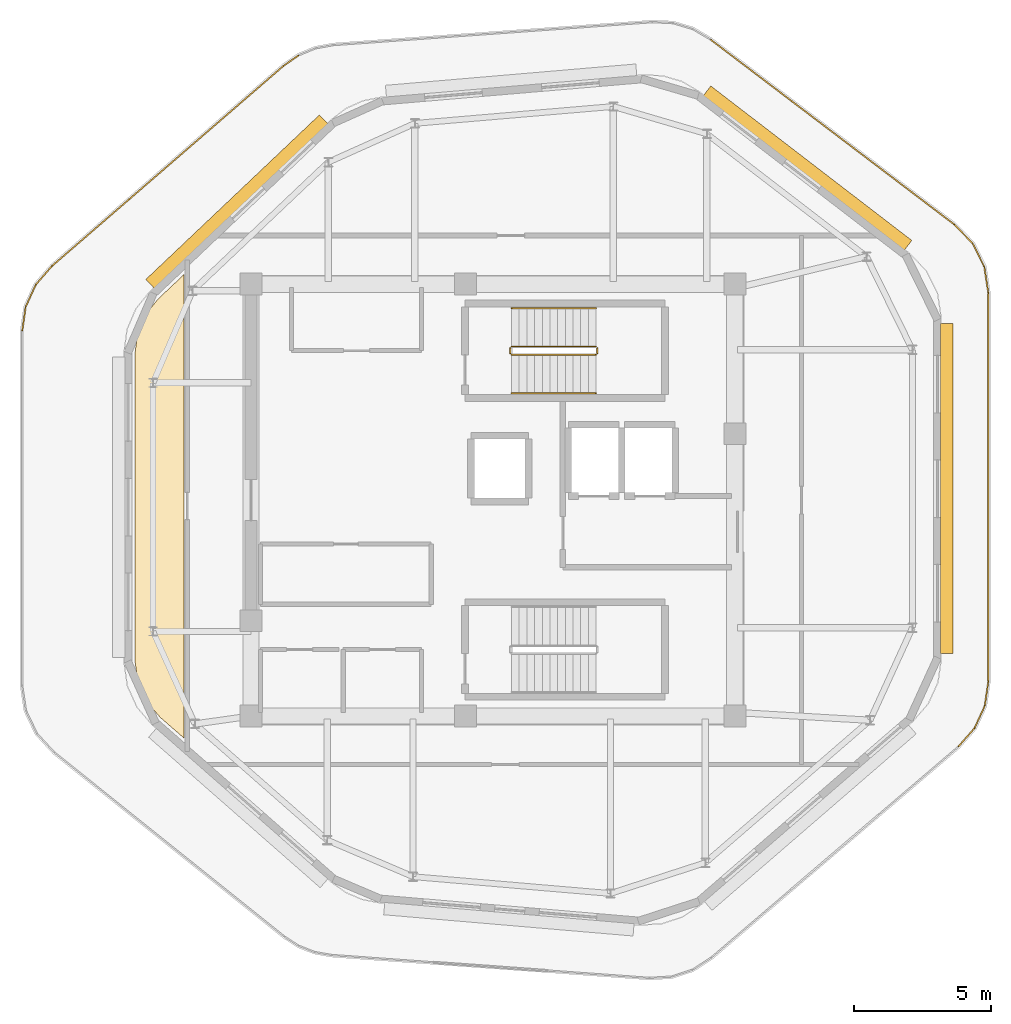
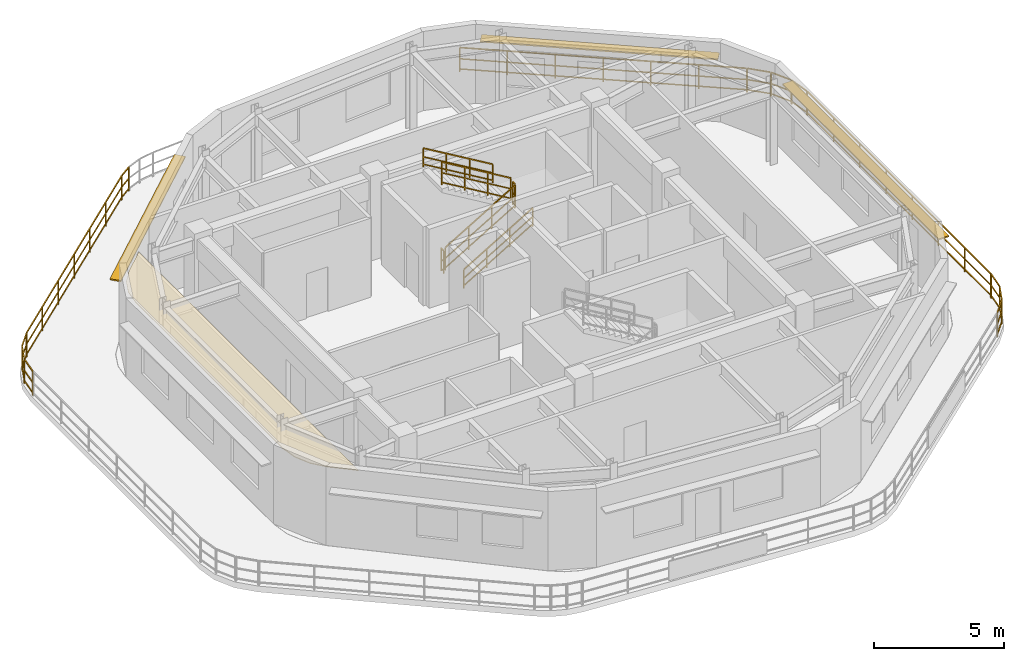
# One storey, part 6 of 7: 19 railings, 3 shading devices, 1 covering.
"""IFC4 building model written with IfcOpenShell, lengths in metres."""

from ifc_helpers import new_model, si_unit, direction, frame, origin, origin_2d, place, context, subcontext, project, spatial, polyline, rectangle, outline, extrude, material, layer, layer_set, type_object, element, save


model = new_model("IFC4")

# Units and contexts
model_context = context("Model", 3, precision=1e-05, world=origin(), true_north=direction((0.0, 1.0)))
body_context = subcontext(model_context, "Body", "Model", "MODEL_VIEW")
ifc_project = project(units=[si_unit("LENGTHUNIT", "METRE"), si_unit("AREAUNIT", "SQUARE_METRE"), si_unit("VOLUMEUNIT", "CUBIC_METRE"), si_unit("PLANEANGLEUNIT", "RADIAN"), si_unit("MASSUNIT", "GRAM", prefix="KILO")], contexts=[model_context])

# Site, building, storey
site_placement = place(None, origin())
site = spatial("IfcSite", under=ifc_project, at=site_placement, CompositionType="ELEMENT")
building_placement = place(site_placement, origin())
building = spatial("IfcBuilding", under=site, at=building_placement, Name="Zulverin Broadcast Headquarters", CompositionType="ELEMENT")
storey_placement = place(building_placement, frame((0.0, 0.0, 329.39990234375)))
storey = spatial("IfcBuildingStorey", under=building, at=storey_placement, Name="C5", CompositionType="ELEMENT", Elevation=329.39990234375)

# Covering
ifc_material_1 = material(Name="Perforated pale-metal acoustic baffle ceiling", Category="aluminium")
ifc_layer_1 = layer(ifc_material_1, 0.0400390625, Name="Perforated pale-metal acoustic baffle ceiling", Category="aluminium")
ifc_layer_set_1 = layer_set([ifc_layer_1], Name="Perforated pale-metal acoustic baffle ceiling")
covering_type = type_object("IfcCoveringType", Name="COV-CEIL-ACOU", PredefinedType="CEILING", material=ifc_layer_set_1)
covering_placement = place(storey_placement, frame((0.0, 0.0, 3.39013671875)))
element("IfcCovering", 1, at=covering_placement, inside=storey, type_object=covering_type, Name="C5 Acoustic Baffle Ceiling 01", PredefinedType="CEILING", context=body_context, shape_type="SweptSolid", body=[
    extrude(outline(polyline([(26.49609375, 31.320068359375), (26.39990234375, 30.60009765625), (26.39990234375, 19.2880859375), (26.508056640625, 18.531982421875), (26.81201171875, 17.864013671875), (27.303955078125, 17.283935546875), (28.179931640625, 16.52001953125), (28.179931640625, 33.427978515625), (27.23193359375, 32.531982421875), (26.77587890625, 31.964111328125), (26.49609375, 31.320068359375)])), origin(), (0.0, 0.0, 1.0), 0.0400390625),
])

# Railings
ifc_material_2 = material(Name="Brushed stainless steel & laminated glass balustrade", Category="steel")
railing_type_1 = type_object("IfcRailingType", Name="RL-GUARD-1150", PredefinedType="GUARDRAIL", material=ifc_material_2)
railing_1_placement = place(storey_placement, frame((22.281982421875, 31.381591796875, 0.0)))
element("IfcRailing", 2, at=railing_1_placement, inside=storey, type_object=railing_type_1, Name="C5 Stepped Crown Terrace Perimeter Balustrade Segment 06", PredefinedType="GUARDRAIL", context=body_context, shape_type="SweptSolid", body=[
    extrude(rectangle(XDim=0.048095703125, YDim=0.048095703125, at=origin_2d()), frame((0.0, 0.0, 1.1259765625), z_axis=(0.142844004207, 0.989745214923, 0.0), x_axis=(-0.989745214923, 0.142844004207, 0.0)), (0.0, 0.0, 1.0), 0.86474609375),
    extrude(rectangle(XDim=0.0419921875, YDim=0.0419921875, at=origin_2d()), frame((0.0, 0.0, 0.597900390625), z_axis=(0.142844004207, 0.989745214923, 0.0), x_axis=(-0.989745214923, 0.142844004207, 0.0)), (0.0, 0.0, 1.0), 0.86474609375),
    extrude(rectangle(XDim=0.0419921875, YDim=0.0419921875, at=origin_2d()), frame((0.0, 0.0, 0.1201171875), z_axis=(0.142844004207, 0.989745214923, 0.0), x_axis=(-0.989745214923, 0.142844004207, 0.0)), (0.0, 0.0, 1.0), 0.86474609375),
    extrude(rectangle(XDim=0.0419921875, YDim=0.0419921875, at=origin_2d()), origin(), (0.0, 0.0, 1.0), 1.101806640625),
    extrude(rectangle(XDim=0.0419921875, YDim=0.0419921875, at=origin_2d()), frame((0.12353515625, 0.85595703125, 0.0)), (0.0, 0.0, 1.0), 1.101806640625),
])
railing_2_placement = place(storey_placement, frame((22.413818359375, 32.26611328125, 0.0)))
element("IfcRailing", 3, at=railing_2_placement, inside=storey, type_object=railing_type_1, Name="C5 Stepped Crown Terrace Perimeter Balustrade Segment 07", PredefinedType="GUARDRAIL", context=body_context, shape_type="SweptSolid", body=[
    extrude(rectangle(XDim=0.048095703125, YDim=0.048095703125, at=origin_2d()), frame((0.0, 0.0, 1.1259765625), z_axis=(0.415900839261, 0.909409969102, 0.0), x_axis=(-0.909409969102, 0.415900839261, 0.0)), (0.0, 0.0, 1.0), 0.85888671875),
    extrude(rectangle(XDim=0.0419921875, YDim=0.0419921875, at=origin_2d()), frame((0.0, 0.0, 0.597900390625), z_axis=(0.415900839261, 0.909409969102, 0.0), x_axis=(-0.909409969102, 0.415900839261, 0.0)), (0.0, 0.0, 1.0), 0.85888671875),
    extrude(rectangle(XDim=0.0419921875, YDim=0.0419921875, at=origin_2d()), frame((0.0, 0.0, 0.1201171875), z_axis=(0.415900839261, 0.909409969102, 0.0), x_axis=(-0.909409969102, 0.415900839261, 0.0)), (0.0, 0.0, 1.0), 0.85888671875),
    extrude(rectangle(XDim=0.0419921875, YDim=0.0419921875, at=origin_2d()), origin(), (0.0, 0.0, 1.0), 1.101806640625),
    extrude(rectangle(XDim=0.0419921875, YDim=0.0419921875, at=origin_2d()), frame((0.357177734375, 0.781005859375, 0.0)), (0.0, 0.0, 1.0), 1.101806640625),
])
railing_3_placement = place(storey_placement, frame((22.787109375, 33.072021484375, 0.0)))
element("IfcRailing", 4, at=railing_3_placement, inside=storey, type_object=railing_type_1, Name="C5 Stepped Crown Terrace Perimeter Balustrade Segment 08", PredefinedType="GUARDRAIL", context=body_context, shape_type="SweptSolid", body=[
    extrude(rectangle(XDim=0.048095703125, YDim=0.048095703125, at=origin_2d()), frame((0.0, 0.0, 1.1259765625), z_axis=(0.655521467266, 0.755176539594, 0.0), x_axis=(-0.755176539594, 0.655521467266, 0.0)), (0.0, 0.0, 1.0), 0.86474609375),
    extrude(rectangle(XDim=0.0419921875, YDim=0.0419921875, at=origin_2d()), frame((0.0, 0.0, 0.597900390625), z_axis=(0.655521467266, 0.755176539594, 0.0), x_axis=(-0.755176539594, 0.655521467266, 0.0)), (0.0, 0.0, 1.0), 0.86474609375),
    extrude(rectangle(XDim=0.0419921875, YDim=0.0419921875, at=origin_2d()), frame((0.0, 0.0, 0.1201171875), z_axis=(0.655521467266, 0.755176539594, 0.0), x_axis=(-0.755176539594, 0.655521467266, 0.0)), (0.0, 0.0, 1.0), 0.86474609375),
    extrude(rectangle(XDim=0.0419921875, YDim=0.0419921875, at=origin_2d()), origin(), (0.0, 0.0, 1.0), 1.101806640625),
    extrude(rectangle(XDim=0.0419921875, YDim=0.0419921875, at=origin_2d()), frame((0.56689453125, 0.653076171875, 0.0)), (0.0, 0.0, 1.0), 1.101806640625),
])
railing_4_placement = place(storey_placement, frame((23.375, 33.74609375, 0.0)))
element("IfcRailing", 5, at=railing_4_placement, inside=storey, type_object=railing_type_1, Name="C5 Stepped Crown Terrace Perimeter Balustrade Segment 09", PredefinedType="GUARDRAIL", context=body_context, shape_type="SweptSolid", body=[
    extrude(rectangle(XDim=0.048095703125, YDim=0.048095703125, at=origin_2d()), frame((0.0, 0.0, 1.1259765625), z_axis=(0.756475989369, 0.654021465633, 0.0), x_axis=(-0.654021465633, 0.756475989369, 0.0)), (0.0, 0.0, 1.0), 11.14013671875),
    extrude(rectangle(XDim=0.0419921875, YDim=0.0419921875, at=origin_2d()), frame((0.0, 0.0, 0.597900390625), z_axis=(0.756475989369, 0.654021465633, 0.0), x_axis=(-0.654021465633, 0.756475989369, 0.0)), (0.0, 0.0, 1.0), 11.14013671875),
    extrude(rectangle(XDim=0.0419921875, YDim=0.0419921875, at=origin_2d()), frame((0.0, 0.0, 0.1201171875), z_axis=(0.756475989369, 0.654021465633, 0.0), x_axis=(-0.654021465633, 0.756475989369, 0.0)), (0.0, 0.0, 1.0), 11.14013671875),
    extrude(rectangle(XDim=0.0419921875, YDim=0.0419921875, at=origin_2d()), origin(), (0.0, 0.0, 1.0), 1.101806640625),
    extrude(rectangle(XDim=0.0419921875, YDim=0.0419921875, at=origin_2d()), frame((1.404541015625, 1.21435546875, 0.0)), (0.0, 0.0, 1.0), 1.101806640625),
    extrude(rectangle(XDim=0.0419921875, YDim=0.0419921875, at=origin_2d()), frame((2.80908203125, 2.4287109375, 0.0)), (0.0, 0.0, 1.0), 1.101806640625),
    extrude(rectangle(XDim=0.0419921875, YDim=0.0419921875, at=origin_2d()), frame((4.213623046875, 3.64306640625, 0.0)), (0.0, 0.0, 1.0), 1.101806640625),
    extrude(rectangle(XDim=0.0419921875, YDim=0.0419921875, at=origin_2d()), frame((5.6181640625, 4.857177734375, 0.0)), (0.0, 0.0, 1.0), 1.101806640625),
    extrude(rectangle(XDim=0.0419921875, YDim=0.0419921875, at=origin_2d()), frame((7.022705078125, 6.071533203125, 0.0)), (0.0, 0.0, 1.0), 1.101806640625),
    extrude(rectangle(XDim=0.0419921875, YDim=0.0419921875, at=origin_2d()), frame((8.42724609375, 7.285888671875, 0.0)), (0.0, 0.0, 1.0), 1.101806640625),
])
railing_5_placement = place(storey_placement, frame((31.82568359375, 41.05029296875, 0.0)))
element("IfcRailing", 6, at=railing_5_placement, inside=storey, type_object=railing_type_1, Name="C5 Stepped Crown Terrace Perimeter Balustrade Segment 10", PredefinedType="GUARDRAIL", context=body_context, shape_type="SweptSolid", body=[
    extrude(rectangle(XDim=0.048095703125, YDim=0.048095703125, at=origin_2d()), frame((0.0, 0.0, 1.1259765625), z_axis=(0.821876134899, 0.569666234635, 0.0), x_axis=(-0.569666234635, 0.821876134899, 0.0)), (0.0, 0.0, 1.0), 0.639892578125),
    extrude(rectangle(XDim=0.0419921875, YDim=0.0419921875, at=origin_2d()), frame((0.0, 0.0, 0.597900390625), z_axis=(0.821876134899, 0.569666234635, 0.0), x_axis=(-0.569666234635, 0.821876134899, 0.0)), (0.0, 0.0, 1.0), 0.639892578125),
    extrude(rectangle(XDim=0.0419921875, YDim=0.0419921875, at=origin_2d()), frame((0.0, 0.0, 0.1201171875), z_axis=(0.821876134899, 0.569666234635, 0.0), x_axis=(-0.569666234635, 0.821876134899, 0.0)), (0.0, 0.0, 1.0), 0.639892578125),
    extrude(rectangle(XDim=0.0419921875, YDim=0.0419921875, at=origin_2d()), origin(), (0.0, 0.0, 1.0), 1.101806640625),
    extrude(rectangle(XDim=0.0419921875, YDim=0.0419921875, at=origin_2d()), frame((0.52587890625, 0.364501953125, 0.0)), (0.0, 0.0, 1.0), 1.101806640625),
])
railing_6_placement = place(storey_placement, frame((47.392333984375, 41.995361328125, 0.0)))
element("IfcRailing", 7, at=railing_6_placement, inside=storey, type_object=railing_type_1, Name="C5 Stepped Crown Terrace Perimeter Balustrade Segment 17", PredefinedType="GUARDRAIL", context=body_context, shape_type="SweptSolid", body=[
    extrude(rectangle(XDim=0.048095703125, YDim=0.048095703125, at=origin_2d()), frame((0.0, 0.0, 1.1259765625), z_axis=(0.796690543245, -0.604387440557, 0.0), x_axis=(0.604387440557, 0.796690543245, 0.0)), (0.0, 0.0, 1.0), 11.1416015625),
    extrude(rectangle(XDim=0.0419921875, YDim=0.0419921875, at=origin_2d()), frame((0.0, 0.0, 0.597900390625), z_axis=(0.796690543245, -0.604387440557, 0.0), x_axis=(0.604387440557, 0.796690543245, 0.0)), (0.0, 0.0, 1.0), 11.1416015625),
    extrude(rectangle(XDim=0.0419921875, YDim=0.0419921875, at=origin_2d()), frame((0.0, 0.0, 0.1201171875), z_axis=(0.796690543245, -0.604387440557, 0.0), x_axis=(0.604387440557, 0.796690543245, 0.0)), (0.0, 0.0, 1.0), 11.1416015625),
    extrude(rectangle(XDim=0.0419921875, YDim=0.0419921875, at=origin_2d()), origin(), (0.0, 0.0, 1.0), 1.101806640625),
    extrude(rectangle(XDim=0.0419921875, YDim=0.0419921875, at=origin_2d()), frame((1.4794921875, -1.122314453125, 0.0)), (0.0, 0.0, 1.0), 1.101806640625),
    extrude(rectangle(XDim=0.0419921875, YDim=0.0419921875, at=origin_2d()), frame((2.958740234375, -2.24462890625, 0.0)), (0.0, 0.0, 1.0), 1.101806640625),
    extrude(rectangle(XDim=0.0419921875, YDim=0.0419921875, at=origin_2d()), frame((4.438232421875, -3.366943359375, 0.0)), (0.0, 0.0, 1.0), 1.101806640625),
    extrude(rectangle(XDim=0.0419921875, YDim=0.0419921875, at=origin_2d()), frame((5.917724609375, -4.4892578125, 0.0)), (0.0, 0.0, 1.0), 1.101806640625),
    extrude(rectangle(XDim=0.0419921875, YDim=0.0419921875, at=origin_2d()), frame((7.39697265625, -5.611572265625, 0.0)), (0.0, 0.0, 1.0), 1.101806640625),
    extrude(rectangle(XDim=0.0419921875, YDim=0.0419921875, at=origin_2d()), frame((8.87646484375, -6.73388671875, 0.0)), (0.0, 0.0, 1.0), 1.101806640625),
])
railing_7_placement = place(storey_placement, frame((56.291015625, 35.24169921875, 0.0)))
element("IfcRailing", 8, at=railing_7_placement, inside=storey, type_object=railing_type_1, Name="C5 Stepped Crown Terrace Perimeter Balustrade Segment 18", PredefinedType="GUARDRAIL", context=body_context, shape_type="SweptSolid", body=[
    extrude(rectangle(XDim=0.048095703125, YDim=0.048095703125, at=origin_2d()), frame((0.0, 0.0, 1.1259765625), z_axis=(0.69480972236, -0.71919361073, 0.0), x_axis=(0.71919361073, 0.69480972236, 0.0)), (0.0, 0.0, 1.0), 0.93115234375),
    extrude(rectangle(XDim=0.0419921875, YDim=0.0419921875, at=origin_2d()), frame((0.0, 0.0, 0.597900390625), z_axis=(0.69480972236, -0.71919361073, 0.0), x_axis=(0.71919361073, 0.69480972236, 0.0)), (0.0, 0.0, 1.0), 0.93115234375),
    extrude(rectangle(XDim=0.0419921875, YDim=0.0419921875, at=origin_2d()), frame((0.0, 0.0, 0.1201171875), z_axis=(0.69480972236, -0.71919361073, 0.0), x_axis=(0.71919361073, 0.69480972236, 0.0)), (0.0, 0.0, 1.0), 0.93115234375),
    extrude(rectangle(XDim=0.0419921875, YDim=0.0419921875, at=origin_2d()), origin(), (0.0, 0.0, 1.0), 1.101806640625),
    extrude(rectangle(XDim=0.0419921875, YDim=0.0419921875, at=origin_2d()), frame((0.64697265625, -0.669677734375, 0.0)), (0.0, 0.0, 1.0), 1.101806640625),
])
railing_8_placement = place(storey_placement, frame((56.955078125, 34.5478515625, 0.0)))
element("IfcRailing", 9, at=railing_8_placement, inside=storey, type_object=railing_type_1, Name="C5 Stepped Crown Terrace Perimeter Balustrade Segment 19", PredefinedType="GUARDRAIL", context=body_context, shape_type="SweptSolid", body=[
    extrude(rectangle(XDim=0.048095703125, YDim=0.048095703125, at=origin_2d()), frame((0.0, 0.0, 1.1259765625), z_axis=(0.444676824576, -0.895691086081, 0.0), x_axis=(0.895691086081, 0.444676824576, 0.0)), (0.0, 0.0, 1.0), 0.924560546875),
    extrude(rectangle(XDim=0.0419921875, YDim=0.0419921875, at=origin_2d()), frame((0.0, 0.0, 0.597900390625), z_axis=(0.444676824576, -0.895691086081, 0.0), x_axis=(0.895691086081, 0.444676824576, 0.0)), (0.0, 0.0, 1.0), 0.924560546875),
    extrude(rectangle(XDim=0.0419921875, YDim=0.0419921875, at=origin_2d()), frame((0.0, 0.0, 0.1201171875), z_axis=(0.444676824576, -0.895691086081, 0.0), x_axis=(0.895691086081, 0.444676824576, 0.0)), (0.0, 0.0, 1.0), 0.924560546875),
    extrude(rectangle(XDim=0.0419921875, YDim=0.0419921875, at=origin_2d()), origin(), (0.0, 0.0, 1.0), 1.101806640625),
    extrude(rectangle(XDim=0.0419921875, YDim=0.0419921875, at=origin_2d()), frame((0.4111328125, -0.828125, 0.0)), (0.0, 0.0, 1.0), 1.101806640625),
])
railing_9_placement = place(storey_placement, frame((57.375244140625, 33.69140625, 0.0)))
element("IfcRailing", 10, at=railing_9_placement, inside=storey, type_object=railing_type_1, Name="C5 Stepped Crown Terrace Perimeter Balustrade Segment 20", PredefinedType="GUARDRAIL", context=body_context, shape_type="SweptSolid", body=[
    extrude(rectangle(XDim=0.048095703125, YDim=0.048095703125, at=origin_2d()), frame((0.0, 0.0, 1.1259765625), z_axis=(0.152904585336, -0.988240956338, 0.0), x_axis=(0.988240956338, 0.152904585336, 0.0)), (0.0, 0.0, 1.0), 0.930908203125),
    extrude(rectangle(XDim=0.0419921875, YDim=0.0419921875, at=origin_2d()), frame((0.0, 0.0, 0.597900390625), z_axis=(0.152904585336, -0.988240956338, 0.0), x_axis=(0.988240956338, 0.152904585336, 0.0)), (0.0, 0.0, 1.0), 0.930908203125),
    extrude(rectangle(XDim=0.0419921875, YDim=0.0419921875, at=origin_2d()), frame((0.0, 0.0, 0.1201171875), z_axis=(0.152904585336, -0.988240956338, 0.0), x_axis=(0.988240956338, 0.152904585336, 0.0)), (0.0, 0.0, 1.0), 0.930908203125),
    extrude(rectangle(XDim=0.0419921875, YDim=0.0419921875, at=origin_2d()), origin(), (0.0, 0.0, 1.0), 1.101806640625),
    extrude(rectangle(XDim=0.0419921875, YDim=0.0419921875, at=origin_2d()), frame((0.142333984375, -0.919921875, 0.0)), (0.0, 0.0, 1.0), 1.101806640625),
])
railing_10_placement = place(storey_placement, frame((57.52001953125, 32.74169921875, 0.0)))
element("IfcRailing", 11, at=railing_10_placement, inside=storey, type_object=railing_type_1, Name="C5 Stepped Crown Terrace Perimeter Balustrade Segment 21", PredefinedType="GUARDRAIL", context=body_context, shape_type="SweptSolid", body=[
    extrude(rectangle(XDim=0.048095703125, YDim=0.048095703125, at=origin_2d()), frame((0.0, 0.0, 1.1259765625), z_axis=(0.0, -1.0, 0.0), x_axis=(1.0, 0.0, 0.0)), (0.0, 0.0, 1.0), 14.14111328125),
    extrude(rectangle(XDim=0.0419921875, YDim=0.0419921875, at=origin_2d()), frame((0.0, 0.0, 0.597900390625), z_axis=(0.0, -1.0, 0.0), x_axis=(1.0, 0.0, 0.0)), (0.0, 0.0, 1.0), 14.14111328125),
    extrude(rectangle(XDim=0.0419921875, YDim=0.0419921875, at=origin_2d()), frame((0.0, 0.0, 0.1201171875), z_axis=(0.0, -1.0, 0.0), x_axis=(1.0, 0.0, 0.0)), (0.0, 0.0, 1.0), 14.14111328125),
    extrude(rectangle(XDim=0.0419921875, YDim=0.0419921875, at=origin_2d()), origin(), (0.0, 0.0, 1.0), 1.101806640625),
    extrude(rectangle(XDim=0.0419921875, YDim=0.0419921875, at=origin_2d()), frame((0.0, -2.020263671875, 0.0)), (0.0, 0.0, 1.0), 1.101806640625),
    extrude(rectangle(XDim=0.0419921875, YDim=0.0419921875, at=origin_2d()), frame((0.0, -4.040283203125, 0.0)), (0.0, 0.0, 1.0), 1.101806640625),
    extrude(rectangle(XDim=0.0419921875, YDim=0.0419921875, at=origin_2d()), frame((0.0, -6.060546875, 0.0)), (0.0, 0.0, 1.0), 1.101806640625),
    extrude(rectangle(XDim=0.0419921875, YDim=0.0419921875, at=origin_2d()), frame((0.0, -8.08056640625, 0.0)), (0.0, 0.0, 1.0), 1.101806640625),
    extrude(rectangle(XDim=0.0419921875, YDim=0.0419921875, at=origin_2d()), frame((0.0, -10.100830078125, 0.0)), (0.0, 0.0, 1.0), 1.101806640625),
    extrude(rectangle(XDim=0.0419921875, YDim=0.0419921875, at=origin_2d()), frame((0.0, -12.120849609375, 0.0)), (0.0, 0.0, 1.0), 1.101806640625),
    extrude(rectangle(XDim=0.0419921875, YDim=0.0419921875, at=origin_2d()), frame((0.0, -14.14111328125, 0.0)), (0.0, 0.0, 1.0), 1.101806640625),
])
railing_11_placement = place(storey_placement, frame((57.517822265625, 18.57080078125, 0.0)))
element("IfcRailing", 12, at=railing_11_placement, inside=storey, type_object=railing_type_1, Name="C5 Stepped Crown Terrace Perimeter Balustrade Segment 22", PredefinedType="GUARDRAIL", context=body_context, shape_type="SweptSolid", body=[
    extrude(rectangle(XDim=0.048095703125, YDim=0.048095703125, at=origin_2d()), frame((0.0, 0.0, 1.1259765625), z_axis=(-0.143460890548, -0.989655987141, 0.0), x_axis=(0.989655987141, -0.143460890548, 0.0)), (0.0, 0.0, 1.0), 0.871337890625),
    extrude(rectangle(XDim=0.0419921875, YDim=0.0419921875, at=origin_2d()), frame((0.0, 0.0, 0.597900390625), z_axis=(-0.143460890548, -0.989655987141, 0.0), x_axis=(0.989655987141, -0.143460890548, 0.0)), (0.0, 0.0, 1.0), 0.871337890625),
    extrude(rectangle(XDim=0.0419921875, YDim=0.0419921875, at=origin_2d()), frame((0.0, 0.0, 0.1201171875), z_axis=(-0.143460890548, -0.989655987141, 0.0), x_axis=(0.989655987141, -0.143460890548, 0.0)), (0.0, 0.0, 1.0), 0.871337890625),
    extrude(rectangle(XDim=0.0419921875, YDim=0.0419921875, at=origin_2d()), origin(), (0.0, 0.0, 1.0), 1.101806640625),
    extrude(rectangle(XDim=0.0419921875, YDim=0.0419921875, at=origin_2d()), frame((-0.125, -0.8623046875, 0.0)), (0.0, 0.0, 1.0), 1.101806640625),
])
railing_12_placement = place(storey_placement, frame((57.38427734375, 17.68017578125, 0.0)))
element("IfcRailing", 13, at=railing_12_placement, inside=storey, type_object=railing_type_1, Name="C5 Stepped Crown Terrace Perimeter Balustrade Segment 23", PredefinedType="GUARDRAIL", context=body_context, shape_type="SweptSolid", body=[
    extrude(rectangle(XDim=0.048095703125, YDim=0.048095703125, at=origin_2d()), frame((0.0, 0.0, 1.1259765625), z_axis=(-0.418789902521, -0.908083155634, 0.0), x_axis=(0.908083155634, -0.418789902521, 0.0)), (0.0, 0.0, 1.0), 0.86572265625),
    extrude(rectangle(XDim=0.0419921875, YDim=0.0419921875, at=origin_2d()), frame((0.0, 0.0, 0.597900390625), z_axis=(-0.418789902521, -0.908083155634, 0.0), x_axis=(0.908083155634, -0.418789902521, 0.0)), (0.0, 0.0, 1.0), 0.86572265625),
    extrude(rectangle(XDim=0.0419921875, YDim=0.0419921875, at=origin_2d()), frame((0.0, 0.0, 0.1201171875), z_axis=(-0.418789902521, -0.908083155634, 0.0), x_axis=(0.908083155634, -0.418789902521, 0.0)), (0.0, 0.0, 1.0), 0.86572265625),
    extrude(rectangle(XDim=0.0419921875, YDim=0.0419921875, at=origin_2d()), origin(), (0.0, 0.0, 1.0), 1.101806640625),
    extrude(rectangle(XDim=0.0419921875, YDim=0.0419921875, at=origin_2d()), frame((-0.362548828125, -0.7861328125, 0.0)), (0.0, 0.0, 1.0), 1.101806640625),
])
railing_13_placement = place(storey_placement, frame((57.005615234375, 16.869140625, 0.0)))
element("IfcRailing", 14, at=railing_13_placement, inside=storey, type_object=railing_type_1, Name="C5 Stepped Crown Terrace Perimeter Balustrade Segment 24", PredefinedType="GUARDRAIL", context=body_context, shape_type="SweptSolid", body=[
    extrude(rectangle(XDim=0.048095703125, YDim=0.048095703125, at=origin_2d()), frame((0.0, 0.0, 1.1259765625), z_axis=(-0.659654505035, -0.751568981523, 0.0), x_axis=(0.751568981523, -0.659654505035, 0.0)), (0.0, 0.0, 1.0), 0.871337890625),
    extrude(rectangle(XDim=0.0419921875, YDim=0.0419921875, at=origin_2d()), frame((0.0, 0.0, 0.597900390625), z_axis=(-0.659654505035, -0.751568981523, 0.0), x_axis=(0.751568981523, -0.659654505035, 0.0)), (0.0, 0.0, 1.0), 0.871337890625),
    extrude(rectangle(XDim=0.0419921875, YDim=0.0419921875, at=origin_2d()), frame((0.0, 0.0, 0.1201171875), z_axis=(-0.659654505035, -0.751568981523, 0.0), x_axis=(0.751568981523, -0.659654505035, 0.0)), (0.0, 0.0, 1.0), 0.871337890625),
    extrude(rectangle(XDim=0.0419921875, YDim=0.0419921875, at=origin_2d()), origin(), (0.0, 0.0, 1.0), 1.101806640625),
    extrude(rectangle(XDim=0.0419921875, YDim=0.0419921875, at=origin_2d()), frame((-0.57470703125, -0.65478515625, 0.0)), (0.0, 0.0, 1.0), 1.101806640625),
])
ifc_material_3 = material(Name="Painted galvanized steel tubular guardrail S355JR", Category="steel")
railing_type_2 = type_object("IfcRailingType", Name="RL-ST-GUARD", PredefinedType="GUARDRAIL", material=ifc_material_3)
railing_14_placement = place(storey_placement, frame((40.1298828125, 30.5, 0.166748046875)))
element("IfcRailing", 15, at=railing_14_placement, inside=storey, type_object=railing_type_2, Name="C5 ST-1 stair guard 1", PredefinedType="GUARDRAIL", context=body_context, shape_type="SweptSolid", body=[
    extrude(rectangle(XDim=0.048095703125, YDim=0.048095703125, at=origin_2d()), frame((0.0, 0.0, 1.076171875), z_axis=(0.859308565015, 0.0, 0.511457515432), x_axis=(0.0, 1.0, 0.0)), (0.0, 0.0, 1.0), 3.58447265625),
    extrude(rectangle(XDim=0.0419921875, YDim=0.0419921875, at=origin_2d()), frame((0.0, 0.0, 0.572021484375), z_axis=(0.859308565015, 0.0, 0.511457515432), x_axis=(0.0, 1.0, 0.0)), (0.0, 0.0, 1.0), 3.58447265625),
    extrude(rectangle(XDim=0.0419921875, YDim=0.0419921875, at=origin_2d()), frame((0.0, 0.0, 0.1201171875), z_axis=(0.859308565015, 0.0, 0.511457515432), x_axis=(0.0, 1.0, 0.0)), (0.0, 0.0, 1.0), 3.58447265625),
    extrude(rectangle(XDim=0.0419921875, YDim=0.0419921875, at=origin_2d()), origin(), (0.0, 0.0, 1.0), 1.052001953125),
    extrude(rectangle(XDim=0.0419921875, YDim=0.0419921875, at=origin_2d()), frame((1.026611328125, 0.0, 0.611083984375)), (0.0, 0.0, 1.0), 1.052001953125),
    extrude(rectangle(XDim=0.0419921875, YDim=0.0419921875, at=origin_2d()), frame((2.053466796875, 0.0, 1.22216796875)), (0.0, 0.0, 1.0), 1.052001953125),
    extrude(rectangle(XDim=0.0419921875, YDim=0.0419921875, at=origin_2d()), frame((3.080078125, 0.0, 1.833251953125)), (0.0, 0.0, 1.0), 1.052001953125),
])
railing_15_placement = place(storey_placement, frame((43.260009765625, 30.550048828125, 2.0)))
element("IfcRailing", 16, at=railing_15_placement, inside=storey, type_object=railing_type_2, Name="C5 ST-1 stair guard 2", PredefinedType="GUARDRAIL", context=body_context, shape_type="SweptSolid", body=[
    extrude(rectangle(XDim=0.048095703125, YDim=0.048095703125, at=origin_2d()), frame((0.0, 0.0, 1.076171875), z_axis=(0.0, 1.0, 0.0), x_axis=(-1.0, 0.0, 0.0)), (0.0, 0.0, 1.0), 0.199951171875),
    extrude(rectangle(XDim=0.0419921875, YDim=0.0419921875, at=origin_2d()), frame((0.0, 0.0, 0.572021484375), z_axis=(0.0, 1.0, 0.0), x_axis=(-1.0, 0.0, 0.0)), (0.0, 0.0, 1.0), 0.199951171875),
    extrude(rectangle(XDim=0.0419921875, YDim=0.0419921875, at=origin_2d()), frame((0.0, 0.0, 0.1201171875), z_axis=(0.0, 1.0, 0.0), x_axis=(-1.0, 0.0, 0.0)), (0.0, 0.0, 1.0), 0.199951171875),
    extrude(rectangle(XDim=0.0419921875, YDim=0.0419921875, at=origin_2d()), origin(), (0.0, 0.0, 1.0), 1.052001953125),
    extrude(rectangle(XDim=0.0419921875, YDim=0.0419921875, at=origin_2d()), frame((0.0, 0.199951171875, 0.0)), (0.0, 0.0, 1.0), 1.052001953125),
])
railing_16_placement = place(storey_placement, frame((43.2099609375, 30.800048828125, 2.166748046875)))
element("IfcRailing", 17, at=railing_16_placement, inside=storey, type_object=railing_type_2, Name="C5 ST-1 stair guard 3", PredefinedType="GUARDRAIL", context=body_context, shape_type="SweptSolid", body=[
    extrude(rectangle(XDim=0.048095703125, YDim=0.048095703125, at=origin_2d()), frame((0.0, 0.0, 1.076171875), z_axis=(-0.859308565015, 0.0, 0.511457515432), x_axis=(0.0, -1.0, 0.0)), (0.0, 0.0, 1.0), 3.58447265625),
    extrude(rectangle(XDim=0.0419921875, YDim=0.0419921875, at=origin_2d()), frame((0.0, 0.0, 0.572021484375), z_axis=(-0.859308565015, 0.0, 0.511457515432), x_axis=(0.0, -1.0, 0.0)), (0.0, 0.0, 1.0), 3.58447265625),
    extrude(rectangle(XDim=0.0419921875, YDim=0.0419921875, at=origin_2d()), frame((0.0, 0.0, 0.1201171875), z_axis=(-0.859308565015, 0.0, 0.511457515432), x_axis=(0.0, -1.0, 0.0)), (0.0, 0.0, 1.0), 3.58447265625),
    extrude(rectangle(XDim=0.0419921875, YDim=0.0419921875, at=origin_2d()), origin(), (0.0, 0.0, 1.0), 1.052001953125),
    extrude(rectangle(XDim=0.0419921875, YDim=0.0419921875, at=origin_2d()), frame((-1.026611328125, 0.0, 0.611083984375)), (0.0, 0.0, 1.0), 1.052001953125),
    extrude(rectangle(XDim=0.0419921875, YDim=0.0419921875, at=origin_2d()), frame((-2.053466796875, 0.0, 1.22216796875)), (0.0, 0.0, 1.0), 1.052001953125),
    extrude(rectangle(XDim=0.0419921875, YDim=0.0419921875, at=origin_2d()), frame((-3.080078125, 0.0, 1.833251953125)), (0.0, 0.0, 1.0), 1.052001953125),
])
railing_17_placement = place(storey_placement, frame((40.080078125, 30.550048828125, 0.0)))
element("IfcRailing", 18, at=railing_17_placement, inside=storey, type_object=railing_type_2, Name="C5 ST-1 stair guard 4", PredefinedType="GUARDRAIL", context=body_context, shape_type="SweptSolid", body=[
    extrude(rectangle(XDim=0.048095703125, YDim=0.048095703125, at=origin_2d()), frame((0.0, 0.0, 1.076171875), z_axis=(0.0, 1.0, 0.0), x_axis=(-1.0, 0.0, 0.0)), (0.0, 0.0, 1.0), 0.199951171875),
    extrude(rectangle(XDim=0.0419921875, YDim=0.0419921875, at=origin_2d()), frame((0.0, 0.0, 0.572021484375), z_axis=(0.0, 1.0, 0.0), x_axis=(-1.0, 0.0, 0.0)), (0.0, 0.0, 1.0), 0.199951171875),
    extrude(rectangle(XDim=0.0419921875, YDim=0.0419921875, at=origin_2d()), frame((0.0, 0.0, 0.1201171875), z_axis=(0.0, 1.0, 0.0), x_axis=(-1.0, 0.0, 0.0)), (0.0, 0.0, 1.0), 0.199951171875),
    extrude(rectangle(XDim=0.0419921875, YDim=0.0419921875, at=origin_2d()), origin(), (0.0, 0.0, 1.0), 1.052001953125),
    extrude(rectangle(XDim=0.0419921875, YDim=0.0419921875, at=origin_2d()), frame((0.0, 0.199951171875, 0.0)), (0.0, 0.0, 1.0), 1.052001953125),
])
ifc_material_4 = material(Name="Brushed stainless steel 48 mm handrail", Category="steel")
railing_type_3 = type_object("IfcRailingType", Name="RL-ST-HAND", PredefinedType="HANDRAIL", material=ifc_material_4)
railing_18_placement = place(storey_placement, frame((40.1298828125, 29.10009765625, 0.166748046875)))
element("IfcRailing", 19, at=railing_18_placement, inside=storey, type_object=railing_type_3, Name="C5 ST-1 stair handrail 1", PredefinedType="HANDRAIL", context=body_context, shape_type="SweptSolid", body=[
    extrude(rectangle(XDim=0.048095703125, YDim=0.048095703125, at=origin_2d()), frame((0.0, 0.0, 0.8759765625), z_axis=(0.859308565015, 0.0, 0.511457515432), x_axis=(0.0, 1.0, 0.0)), (0.0, 0.0, 1.0), 3.58447265625),
    extrude(rectangle(XDim=0.0419921875, YDim=0.0419921875, at=origin_2d()), frame((0.0, 0.0, 0.468017578125), z_axis=(0.859308565015, 0.0, 0.511457515432), x_axis=(0.0, 1.0, 0.0)), (0.0, 0.0, 1.0), 3.58447265625),
    extrude(rectangle(XDim=0.0419921875, YDim=0.0419921875, at=origin_2d()), frame((0.0, 0.0, 0.1201171875), z_axis=(0.859308565015, 0.0, 0.511457515432), x_axis=(0.0, 1.0, 0.0)), (0.0, 0.0, 1.0), 3.58447265625),
    extrude(rectangle(XDim=0.0419921875, YDim=0.0419921875, at=origin_2d()), origin(), (0.0, 0.0, 1.0), 0.851806640625),
    extrude(rectangle(XDim=0.0419921875, YDim=0.0419921875, at=origin_2d()), frame((1.026611328125, 0.0, 0.611083984375)), (0.0, 0.0, 1.0), 0.851806640625),
    extrude(rectangle(XDim=0.0419921875, YDim=0.0419921875, at=origin_2d()), frame((2.053466796875, 0.0, 1.22216796875)), (0.0, 0.0, 1.0), 0.851806640625),
    extrude(rectangle(XDim=0.0419921875, YDim=0.0419921875, at=origin_2d()), frame((3.080078125, 0.0, 1.833251953125)), (0.0, 0.0, 1.0), 0.851806640625),
])
railing_19_placement = place(storey_placement, frame((43.2099609375, 32.199951171875, 2.166748046875)))
element("IfcRailing", 20, at=railing_19_placement, inside=storey, type_object=railing_type_3, Name="C5 ST-1 stair handrail 2", PredefinedType="HANDRAIL", context=body_context, shape_type="SweptSolid", body=[
    extrude(rectangle(XDim=0.048095703125, YDim=0.048095703125, at=origin_2d()), frame((0.0, 0.0, 0.8759765625), z_axis=(-0.859308565015, 0.0, 0.511457515432), x_axis=(0.0, -1.0, 0.0)), (0.0, 0.0, 1.0), 3.58447265625),
    extrude(rectangle(XDim=0.0419921875, YDim=0.0419921875, at=origin_2d()), frame((0.0, 0.0, 0.468017578125), z_axis=(-0.859308565015, 0.0, 0.511457515432), x_axis=(0.0, -1.0, 0.0)), (0.0, 0.0, 1.0), 3.58447265625),
    extrude(rectangle(XDim=0.0419921875, YDim=0.0419921875, at=origin_2d()), frame((0.0, 0.0, 0.1201171875), z_axis=(-0.859308565015, 0.0, 0.511457515432), x_axis=(0.0, -1.0, 0.0)), (0.0, 0.0, 1.0), 3.58447265625),
    extrude(rectangle(XDim=0.0419921875, YDim=0.0419921875, at=origin_2d()), origin(), (0.0, 0.0, 1.0), 0.851806640625),
    extrude(rectangle(XDim=0.0419921875, YDim=0.0419921875, at=origin_2d()), frame((-1.026611328125, 0.0, 0.611083984375)), (0.0, 0.0, 1.0), 0.851806640625),
    extrude(rectangle(XDim=0.0419921875, YDim=0.0419921875, at=origin_2d()), frame((-2.053466796875, 0.0, 1.22216796875)), (0.0, 0.0, 1.0), 0.851806640625),
    extrude(rectangle(XDim=0.0419921875, YDim=0.0419921875, at=origin_2d()), frame((-3.080078125, 0.0, 1.833251953125)), (0.0, 0.0, 1.0), 0.851806640625),
])

# Shading devices
ifc_material_5 = material(Name="Anodized pale-metal aluminium sunshade", Category="aluminium")
ifc_layer_2 = layer(ifc_material_5, 0.06005859375, Name="Anodized pale-metal aluminium sunshade", Category="aluminium")
ifc_layer_set_2 = layer_set([ifc_layer_2], Name="Anodized pale-metal aluminium sunshade")
shading_device_type = type_object("IfcShadingDeviceType", Name="SS-01_PALE_METAL_ALUMINIUM_SUNSHADE", PredefinedType="USERDEFINED", material=ifc_layer_set_2)
shading_device_1_placement = place(storey_placement, frame((56.0, 25.614990234375, 2.7099609375), z_axis=(0.0, 0.0, 1.0), x_axis=(0.0, 1.0, 0.0)))
element("IfcShadingDevice", 21, at=shading_device_1_placement, inside=storey, type_object=shading_device_type, Name="C5 Horizontal Pale-Metal Sunshade Band 3", ObjectType="SUNSHADE", PredefinedType="USERDEFINED", context=body_context, shape_type="SweptSolid", body=[
    extrude(rectangle(XDim=12.037841796875, YDim=0.449951171875, at=origin_2d()), origin(), (0.0, 0.0, 1.0), 0.06005859375),
])
shading_device_2_placement = place(storey_placement, frame((50.92529296875, 37.310302734375, 2.7099609375), z_axis=(0.0, 0.0, 1.0), x_axis=(-0.792915389698, 0.609331752644, 0.0)))
element("IfcShadingDevice", 22, at=shading_device_2_placement, inside=storey, type_object=shading_device_type, Name="C5 Horizontal Pale-Metal Sunshade Band 4", ObjectType="SUNSHADE", PredefinedType="USERDEFINED", context=body_context, shape_type="SweptSolid", body=[
    extrude(rectangle(XDim=9.246826171875, YDim=0.449951171875, at=origin_2d()), origin(), (0.0, 0.0, 1.0), 0.06005859375),
])
shading_device_3_placement = place(storey_placement, frame((30.109619140625, 36.085693359375, 2.7099609375), z_axis=(0.0, 0.0, 1.0), x_axis=(-0.725871563435, -0.687830264961, 0.0)))
element("IfcShadingDevice", 23, at=shading_device_3_placement, inside=storey, type_object=shading_device_type, Name="C5 Horizontal Pale-Metal Sunshade Band 6", ObjectType="SUNSHADE", PredefinedType="USERDEFINED", context=body_context, shape_type="SweptSolid", body=[
    extrude(rectangle(XDim=8.7216796875, YDim=0.449951171875, at=origin_2d()), origin(), (0.0, 0.0, 1.0), 0.06005859375),
])

save(model, "model.ifc")
